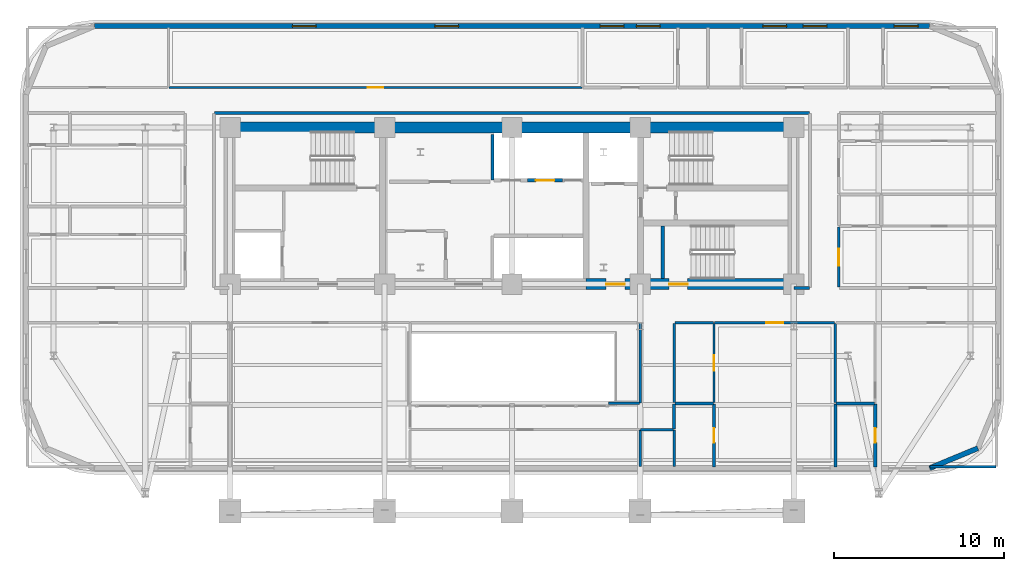
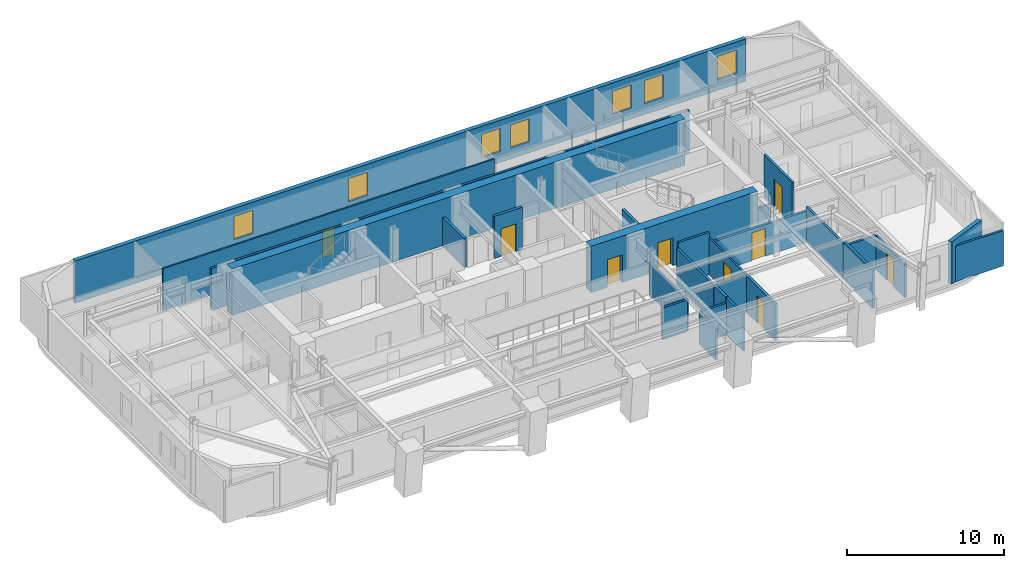
# One storey, part 9 of 14: 28 walls, 9 doors, 7 windows, 16 openings.
"""IFC4 building model written with IfcOpenShell, lengths in metres."""

import ifcopenshell
import ifcopenshell.guid

model = None  # the IFC model being written
_history = None  # IfcOwnerHistory: only IFC2X3 demands one
_inside = {}  # id of a spatial element -> (the spatial element, [elements in it])
_under = {}  # id of a project, library or spatial element -> (it, [spatial elements below it])
_declared = {}  # id of a project -> (the project, [libraries it declares])
_typed = {}  # id of a type object -> (the type object, [elements of that type])
_made_of = {}  # id of a material, layer set ... -> (it, [elements and type objects made of it])


def new_model(schema):
    """Start an empty IFC model of exactly this schema.

    Asked for "IFC4X3", IfcOpenShell would pick the latest addendum, in which some entities
    have other attributes; the version numbers below select the first issue.
    IFC2X3 requires an IfcOwnerHistory on every rooted entity: one is made here for all.
    """
    global model, _history
    if schema == "IFC4X3":
        model = ifcopenshell.file(schema_version=(4, 3, 0, 0))
    else:
        model = ifcopenshell.file(schema=schema)
    _inside.clear()
    _under.clear()
    _declared.clear()
    _typed.clear()
    _made_of.clear()
    _history = None
    if model.schema == "IFC2X3":
        org = make("IfcOrganization", Name="unknown")
        user = make(
            "IfcPersonAndOrganization",
            ThePerson=make("IfcPerson", FamilyName="unknown"),
            TheOrganization=org,
        )
        app = make(
            "IfcApplication",
            ApplicationDeveloper=org,
            Version="unknown",
            ApplicationFullName="unknown",
            ApplicationIdentifier="unknown",
        )
        _history = make(
            "IfcOwnerHistory",
            OwningUser=user,
            OwningApplication=app,
            ChangeAction="ADDED",
            CreationDate=0,
        )
    return model


def make(cls, **values):
    """One entity of the class cls with the attributes given. An attribute that is None is left unset."""
    return model.create_entity(
        cls, **{name: value for name, value in values.items() if value is not None}
    )


def rooted(cls, **values):
    """An entity with a GlobalId (a new one), such as an element, a storey or a relation."""
    return make(cls, GlobalId=ifcopenshell.guid.new(), OwnerHistory=_history, **values)


def si_unit(unit_type, name, prefix=None):
    """IfcSIUnit, for example si_unit("LENGTHUNIT", "METRE", prefix="MILLI")."""
    return make("IfcSIUnit", UnitType=unit_type, Prefix=prefix, Name=name)


def assignment(units):
    """IfcUnitAssignment: the units of a project."""
    return None if units is None else make("IfcUnitAssignment", Units=units)


def point(xyz):
    """IfcCartesianPoint."""
    return None if xyz is None else make("IfcCartesianPoint", Coordinates=xyz)


def direction(xyz):
    """IfcDirection."""
    return None if xyz is None else make("IfcDirection", DirectionRatios=xyz)


def frame(location, z_axis=None, x_axis=None):
    """IfcAxis2Placement3D, a coordinate frame: its origin and axes. An axis left out is left unset."""
    return make(
        "IfcAxis2Placement3D",
        Location=point(location),
        Axis=direction(z_axis),
        RefDirection=direction(x_axis),
    )


def frame_2d(location, x_axis=None):
    """IfcAxis2Placement2D, a coordinate frame in the plane: its origin and x axis."""
    return make(
        "IfcAxis2Placement2D", Location=point(location), RefDirection=direction(x_axis)
    )


def origin():
    """The frame at (0, 0, 0) with its axes left unset."""
    return frame((0.0, 0.0, 0.0))


def place(relative_to, where):
    """IfcLocalPlacement: puts the frame where relative to a parent placement (None: the world)."""
    return make(
        "IfcLocalPlacement", PlacementRelTo=relative_to, RelativePlacement=where
    )


def context(
    kind, dimensions, precision=None, world=None, true_north=None, identifier=None
):
    """IfcGeometricRepresentationContext, for example the 3D "Model" context."""
    return make(
        "IfcGeometricRepresentationContext",
        ContextIdentifier=identifier,
        ContextType=kind,
        CoordinateSpaceDimension=dimensions,
        Precision=precision,
        WorldCoordinateSystem=world,
        TrueNorth=true_north,
    )


def subcontext(parent, identifier, kind, view, scale=None):
    """IfcGeometricRepresentationSubContext, for example "Body" below "Model"."""
    return make(
        "IfcGeometricRepresentationSubContext",
        ContextIdentifier=identifier,
        ContextType=kind,
        ParentContext=parent,
        TargetScale=scale,
        TargetView=view,
    )


def project(units=None, contexts=None):
    """IfcProject with its units and contexts."""
    return rooted(
        "IfcProject",
        Name="project",
        RepresentationContexts=contexts,
        UnitsInContext=assignment(units),
    )


def spatial(cls, under=None, at=None, **own):
    """A site, building, storey or space (cls), placed at a placement, below another one or the project."""
    s = rooted(cls, ObjectPlacement=at, **own)
    if under is not None:
        _under.setdefault(under.id(), (under, []))[1].append(s)
    return s


def profile(cls, at=None, kind="AREA", **sizes):
    """A parametric profile (cls). Its sizes go by their IFC names, for example OverallWidth=200.0."""
    return make(cls, ProfileType=kind, Position=at, **sizes)


def rectangle(**sizes):
    """IfcRectangleProfileDef."""
    return profile("IfcRectangleProfileDef", **sizes)


def extrude(swept, where, along, depth):
    """IfcExtrudedAreaSolid: the profile swept, set in the frame where, extruded along a direction by depth."""
    return make(
        "IfcExtrudedAreaSolid",
        SweptArea=swept,
        Position=where,
        ExtrudedDirection=direction(along),
        Depth=depth,
    )


def shape(context_of_items, identifier, shape_type, items):
    """IfcShapeRepresentation: the items that make up one representation, for example the "Body"."""
    return make(
        "IfcShapeRepresentation",
        ContextOfItems=context_of_items,
        RepresentationIdentifier=identifier,
        RepresentationType=shape_type,
        Items=items,
    )


def material(Name=None, Category=None):
    """IfcMaterial."""
    return make("IfcMaterial", Name=Name, Category=Category)


def layer(
    of_material, thickness, ventilated=None, Name=None, Category=None, Priority=None
):
    """IfcMaterialLayer: one layer of a wall or slab, of a material (None: an air gap)."""
    return make(
        "IfcMaterialLayer",
        Material=of_material,
        LayerThickness=thickness,
        IsVentilated=ventilated,
        Name=Name,
        Category=Category,
        Priority=Priority,
    )


def layer_set(layers, Name=None):
    """IfcMaterialLayerSet."""
    return make("IfcMaterialLayerSet", MaterialLayers=layers, LayerSetName=Name)


def made_of(thing, what):
    """Note that an element or type object is made of a material, layer set ...; save() writes the relation."""
    if what is not None:
        _made_of.setdefault(what.id(), (what, []))[1].append(thing)
    return thing


def type_object(cls, material=None, **own):
    """A type object (cls), such as IfcWallType, which elements share."""
    return made_of(rooted(cls, **own), material)


def element(
    cls,
    number,
    at=None,
    inside=None,
    cuts=None,
    type_object=None,
    material=None,
    context=None,
    identifier="Body",
    shape_type=None,
    held_by="IfcProductDefinitionShape",
    body=None,
    shapes=None,
    **own,
):
    """One element of the class cls, such as IfcWall. Its Tag is "e" and its number.

    at: its placement. inside: the storey or other place that contains it. cuts: it is an
    opening in that element (IfcRelVoidsElement). A single representation is given by context,
    identifier, shape_type and body (its items); several are given by shapes. held_by: the class
    of the entity that holds the representations. save() writes the other relations.
    """
    e = rooted(cls, Tag="e%d" % number, ObjectPlacement=at, **own)
    if body is not None:
        shapes = [shape(context, identifier, shape_type, body)]
    if shapes is not None:
        e.Representation = make(held_by, Representations=shapes)
    if inside is not None:
        _inside.setdefault(inside.id(), (inside, []))[1].append(e)
    if cuts is not None:
        rooted(
            "IfcRelVoidsElement", RelatingBuildingElement=cuts, RelatedOpeningElement=e
        )
    if type_object is not None:
        _typed.setdefault(type_object.id(), (type_object, []))[1].append(e)
    return made_of(e, material)


def fill(opening, filler):
    """IfcRelFillsElement: the door or window that sits in an opening."""
    return rooted(
        "IfcRelFillsElement",
        RelatingOpeningElement=opening,
        RelatedBuildingElement=filler,
    )


def aggregate(whole, parts):
    """IfcRelAggregates: a whole, such as a stair, and the parts it consists of."""
    return rooted("IfcRelAggregates", RelatingObject=whole, RelatedObjects=parts)


def save(model, path):
    """Write the relations noted so far, then the file.

    IfcRelAggregates (storeys below a building ...), IfcRelContainedInSpatialStructure (elements
    in a storey), IfcRelDefinesByType, IfcRelAssociatesMaterial and IfcRelDeclares: one each for
    every whole, place, type object, material and project.
    """
    for whole, parts in _under.values():
        aggregate(whole, parts)
    for where, things in _inside.values():
        rooted(
            "IfcRelContainedInSpatialStructure",
            RelatedElements=things,
            RelatingStructure=where,
        )
    for kind, things in _typed.values():
        rooted("IfcRelDefinesByType", RelatedObjects=things, RelatingType=kind)
    for what, things in _made_of.values():
        rooted("IfcRelAssociatesMaterial", RelatedObjects=things, RelatingMaterial=what)
    for by, libraries in _declared.values():
        rooted("IfcRelDeclares", RelatingContext=by, RelatedDefinitions=libraries)
    model.write(path)


model = new_model("IFC4")

# Units and contexts
model_context = context("Model", 3, precision=1e-05, world=origin(), true_north=direction((0.0, 1.0)))
body_context = subcontext(model_context, "Body", "Model", "MODEL_VIEW")
ifc_project = project(units=[si_unit("LENGTHUNIT", "METRE"), si_unit("AREAUNIT", "SQUARE_METRE"), si_unit("VOLUMEUNIT", "CUBIC_METRE"), si_unit("PLANEANGLEUNIT", "RADIAN"), si_unit("MASSUNIT", "GRAM", prefix="KILO")], contexts=[model_context])

# Site, building, storey
site_placement = place(None, origin())
site = spatial("IfcSite", under=ifc_project, at=site_placement, CompositionType="ELEMENT")
building_placement = place(site_placement, origin())
building = spatial("IfcBuilding", under=site, at=building_placement, Name="Zarnavel Station Tower", CompositionType="ELEMENT")
storey_placement = place(building_placement, frame((0.0, 0.0, 129.300048828125)))
storey = spatial("IfcBuildingStorey", under=building, at=storey_placement, Name="L35", CompositionType="ELEMENT", Elevation=129.300048828125)

# Wall
ifc_material_1 = material(Name="Concrete C60/75", Category="concrete")
ifc_layer_1 = layer(ifc_material_1, 0.64990234375)
ifc_layer_set_1 = layer_set([ifc_layer_1], Name="CW_650")
wall_type_1 = type_object("IfcWallType", Name="CW_650", PredefinedType="SHEAR", material=ifc_layer_set_1)
wall_1_placement = place(storey_placement, frame((12.14990234375, 37.050048828125, 0.0), z_axis=(0.0, 0.0, 1.0), x_axis=(1.0, 0.0, 0.0)))
element("IfcWall", 1, at=wall_1_placement, inside=storey, type_object=wall_type_1, Name="L35 Rear Core Shear Wall N", PredefinedType="SHEAR", context=body_context, shape_type="SweptSolid", body=[
    extrude(rectangle(XDim=33.22998046875, YDim=0.64990234375, at=frame_2d((16.614990234375, 0.0))), origin(), (0.0, 0.0, 1.0), 3.599853515625),
])

# Wall, openings, doors
wall_2_placement = place(storey_placement, frame((45.3798828125, 27.820068359375, 0.0), z_axis=(0.0, 0.0, 1.0), x_axis=(-1.0, 0.0, 0.0)))
wall_2 = element("IfcWall", 2, at=wall_2_placement, inside=storey, type_object=wall_type_1, Name="L35 Rear Core Shear Wall S-E", PredefinedType="SHEAR", context=body_context, shape_type="SweptSolid", body=[
    extrude(rectangle(XDim=12.22998046875, YDim=0.64990234375, at=frame_2d((6.114990234375, 0.0))), origin(), (0.0, 0.0, 1.0), 3.599853515625),
])
opening_1_placement = place(wall_2_placement, frame((9.929931640625, 0.0, 0.0)))
opening_1 = element("IfcOpeningElement", 3, at=opening_1_placement, cuts=wall_2, Name="Opening FD01", PredefinedType="OPENING", context=body_context, shape_type="SweptSolid", body=[
    extrude(rectangle(XDim=1.10009765625, YDim=2.14990234375, at=frame_2d((0.550048828125, 1.074951171875))), frame((0.0, 0.3349609375, 0.0), z_axis=(0.0, -1.0, 0.0), x_axis=(1.0, 0.0, 0.0)), (0.0, 0.0, 1.0), 0.669921875),
])
opening_2_placement = place(wall_2_placement, frame((6.22998046875, 0.0, 0.0)))
opening_2 = element("IfcOpeningElement", 4, at=opening_2_placement, cuts=wall_2, Name="Opening FD01", PredefinedType="OPENING", context=body_context, shape_type="SweptSolid", body=[
    extrude(rectangle(XDim=1.10009765625, YDim=2.14990234375, at=frame_2d((0.550048828125, 1.074951171875))), frame((0.0, 0.3349609375, 0.0), z_axis=(0.0, -1.0, 0.0), x_axis=(1.0, 0.0, 0.0)), (0.0, 0.0, 1.0), 0.669921875),
])
ifc_material_2 = material(Name="Painted Galvanised Steel and Hardwood Leaf", Category="steel")
door_type_1 = type_object("IfcDoorType", Name="ID_STAIR_1100", OperationType="NOTDEFINED", PredefinedType="DOOR", material=ifc_material_2)
door_1_placement = place(opening_1_placement, origin())
door_1 = element("IfcDoor", 5, at=door_1_placement, inside=storey, type_object=door_type_1, Name="L35 East Firefighting Lobby Door", OperationType="SINGLE_SWING_LEFT", OverallHeight=2.14990234375, OverallWidth=1.10009765625, PredefinedType="DOOR", context=body_context, shape_type="SweptSolid", body=[
    extrude(rectangle(XDim=1.10009765625, YDim=2.14990234375, at=frame_2d((0.550048828125, 1.074951171875))), frame((0.0, 0.02490234375, 0.0), z_axis=(0.0, -1.0, 0.0), x_axis=(1.0, 0.0, 0.0)), (0.0, 0.0, 1.0), 0.050048828125),
])
fill(opening_1, door_1)
door_2_placement = place(opening_2_placement, origin())
door_2 = element("IfcDoor", 6, at=door_2_placement, inside=storey, type_object=door_type_1, Name="L35 Stair ST3 Corridor Fire Door", OperationType="SINGLE_SWING_RIGHT", OverallHeight=2.14990234375, OverallWidth=1.10009765625, PredefinedType="DOOR", context=body_context, shape_type="SweptSolid", body=[
    extrude(rectangle(XDim=1.10009765625, YDim=2.14990234375, at=frame_2d((0.550048828125, 1.074951171875))), frame((0.0, 0.02490234375, 0.0), z_axis=(0.0, -1.0, 0.0), x_axis=(1.0, 0.0, 0.0)), (0.0, 0.0, 1.0), 0.050048828125),
])
fill(opening_2, door_2)

# Wall
ifc_material_3 = material(Name="Precast concrete C45/55 (Dark Basalt Finish)", Category="masonry")
ifc_layer_2 = layer(ifc_material_3, 0.300048828125)
ifc_layer_set_2 = layer_set([ifc_layer_2], Name="EW_BASALT_300")
wall_type_2 = type_object("IfcWallType", Name="EW_BASALT_300", PredefinedType="SOLIDWALL", material=ifc_layer_set_2)
wall_3_placement = place(storey_placement, frame((56.24267578125, 18.157470703125, 0.0), z_axis=(0.0, 0.0, 1.0), x_axis=(-0.923882414032, -0.382676475685, 0.0)))
element("IfcWall", 7, at=wall_3_placement, inside=storey, type_object=wall_type_2, Name="L35 Exterior Basalt Masonry Frame Wall 01", PredefinedType="SOLIDWALL", context=body_context, shape_type="SweptSolid", body=[
    extrude(rectangle(XDim=3.076904296875, YDim=0.300048828125, at=frame_2d((1.53857421875, 0.0))), origin(), (0.0, 0.0, 1.0), 3.280029296875),
])

# Wall, openings, windows
wall_4_placement = place(storey_placement, frame((4.199951171875, 43.02001953125, 0.0), z_axis=(0.0, 0.0, 1.0), x_axis=(1.0, 0.0, 0.0)))
wall_4 = element("IfcWall", 8, at=wall_4_placement, inside=storey, type_object=wall_type_2, Name="L35 Exterior Basalt Masonry Frame Wall 06", PredefinedType="SOLIDWALL", context=body_context, shape_type="SweptSolid", body=[
    extrude(rectangle(XDim=49.199951171875, YDim=0.300048828125, at=frame_2d((24.60009765625, 0.0))), origin(), (0.0, 0.0, 1.0), 3.280029296875),
])
opening_3_placement = place(wall_4_placement, frame((11.65673828125, 0.0, 0.85009765625)))
opening_3 = element("IfcOpeningElement", 9, at=opening_3_placement, cuts=wall_4, Name="Opening WN01", PredefinedType="OPENING", context=body_context, shape_type="SweptSolid", body=[
    extrude(rectangle(XDim=1.39990234375, YDim=1.800048828125, at=frame_2d((0.699951171875, 0.89990234375))), frame((0.0, 0.159912109375, 0.0), z_axis=(0.0, -1.0, 0.0), x_axis=(1.0, 0.0, 0.0)), (0.0, 0.0, 1.0), 0.320068359375),
])
opening_4_placement = place(wall_4_placement, frame((20.05322265625, 0.0, 0.85009765625)))
opening_4 = element("IfcOpeningElement", 10, at=opening_4_placement, cuts=wall_4, Name="Opening WN01", PredefinedType="OPENING", context=body_context, shape_type="SweptSolid", body=[
    extrude(rectangle(XDim=1.39990234375, YDim=1.800048828125, at=frame_2d((0.699951171875, 0.89990234375))), frame((0.0, 0.159912109375, 0.0), z_axis=(0.0, -1.0, 0.0), x_axis=(1.0, 0.0, 0.0)), (0.0, 0.0, 1.0), 0.320068359375),
])
opening_5_placement = place(wall_4_placement, frame((29.7890625, 0.0, 0.85009765625)))
opening_5 = element("IfcOpeningElement", 11, at=opening_5_placement, cuts=wall_4, Name="Opening WN01", PredefinedType="OPENING", context=body_context, shape_type="SweptSolid", body=[
    extrude(rectangle(XDim=1.39990234375, YDim=1.800048828125, at=frame_2d((0.699951171875, 0.89990234375))), frame((0.0, 0.159912109375, 0.0), z_axis=(0.0, -1.0, 0.0), x_axis=(1.0, 0.0, 0.0)), (0.0, 0.0, 1.0), 0.320068359375),
])
opening_6_placement = place(wall_4_placement, frame((31.927978515625, 0.0, 0.85009765625)))
opening_6 = element("IfcOpeningElement", 12, at=opening_6_placement, cuts=wall_4, Name="Opening WN01", PredefinedType="OPENING", context=body_context, shape_type="SweptSolid", body=[
    extrude(rectangle(XDim=1.39990234375, YDim=1.800048828125, at=frame_2d((0.699951171875, 0.89990234375))), frame((0.0, 0.159912109375, 0.0), z_axis=(0.0, -1.0, 0.0), x_axis=(1.0, 0.0, 0.0)), (0.0, 0.0, 1.0), 0.320068359375),
])
opening_7_placement = place(wall_4_placement, frame((39.382080078125, 0.0, 0.85009765625)))
opening_7 = element("IfcOpeningElement", 13, at=opening_7_placement, cuts=wall_4, Name="Opening WN01", PredefinedType="OPENING", context=body_context, shape_type="SweptSolid", body=[
    extrude(rectangle(XDim=1.39990234375, YDim=1.800048828125, at=frame_2d((0.699951171875, 0.89990234375))), frame((0.0, 0.159912109375, 0.0), z_axis=(0.0, -1.0, 0.0), x_axis=(1.0, 0.0, 0.0)), (0.0, 0.0, 1.0), 0.320068359375),
])
opening_8_placement = place(wall_4_placement, frame((41.740966796875, 0.0, 0.85009765625)))
opening_8 = element("IfcOpeningElement", 14, at=opening_8_placement, cuts=wall_4, Name="Opening WN01", PredefinedType="OPENING", context=body_context, shape_type="SweptSolid", body=[
    extrude(rectangle(XDim=1.39990234375, YDim=1.800048828125, at=frame_2d((0.699951171875, 0.89990234375))), frame((0.0, 0.159912109375, 0.0), z_axis=(0.0, -1.0, 0.0), x_axis=(1.0, 0.0, 0.0)), (0.0, 0.0, 1.0), 0.320068359375),
])
opening_9_placement = place(wall_4_placement, frame((47.114990234375, 0.0, 0.85009765625)))
opening_9 = element("IfcOpeningElement", 15, at=opening_9_placement, cuts=wall_4, Name="Opening WN01", PredefinedType="OPENING", context=body_context, shape_type="SweptSolid", body=[
    extrude(rectangle(XDim=1.39990234375, YDim=1.800048828125, at=frame_2d((0.699951171875, 0.89990234375))), frame((0.0, 0.159912109375, 0.0), z_axis=(0.0, -1.0, 0.0), x_axis=(1.0, 0.0, 0.0)), (0.0, 0.0, 1.0), 0.320068359375),
])
ifc_material_4 = material(Name="Thermally Broken Black Aluminium and Low-E Dark Glass", Category="aluminium")
window_type = type_object("IfcWindowType", Name="WN_1400x1800", PartitioningType="DOUBLE_PANEL_VERTICAL", PredefinedType="WINDOW", material=ifc_material_4)
window_1_placement = place(opening_3_placement, origin())
window_1 = element("IfcWindow", 16, at=window_1_placement, inside=storey, type_object=window_type, Name="L35 Recessed Facade Window 01", OverallHeight=1.800048828125, OverallWidth=1.39990234375, PartitioningType="SINGLE_PANEL", PredefinedType="WINDOW", context=body_context, shape_type="SweptSolid", body=[
    extrude(rectangle(XDim=1.39990234375, YDim=1.800048828125, at=frame_2d((0.699951171875, 0.89990234375))), frame((0.0, 0.030029296875, 0.0), z_axis=(0.0, -1.0, 0.0), x_axis=(1.0, 0.0, 0.0)), (0.0, 0.0, 1.0), 0.06005859375),
])
fill(opening_3, window_1)
window_2_placement = place(opening_4_placement, origin())
window_2 = element("IfcWindow", 17, at=window_2_placement, inside=storey, type_object=window_type, Name="L35 Recessed Facade Window 02", OverallHeight=1.800048828125, OverallWidth=1.39990234375, PartitioningType="SINGLE_PANEL", PredefinedType="WINDOW", context=body_context, shape_type="SweptSolid", body=[
    extrude(rectangle(XDim=1.39990234375, YDim=1.800048828125, at=frame_2d((0.699951171875, 0.89990234375))), frame((0.0, 0.030029296875, 0.0), z_axis=(0.0, -1.0, 0.0), x_axis=(1.0, 0.0, 0.0)), (0.0, 0.0, 1.0), 0.06005859375),
])
fill(opening_4, window_2)
window_3_placement = place(opening_5_placement, origin())
window_3 = element("IfcWindow", 18, at=window_3_placement, inside=storey, type_object=window_type, Name="L35 Recessed Facade Window 03", OverallHeight=1.800048828125, OverallWidth=1.39990234375, PartitioningType="SINGLE_PANEL", PredefinedType="WINDOW", context=body_context, shape_type="SweptSolid", body=[
    extrude(rectangle(XDim=1.39990234375, YDim=1.800048828125, at=frame_2d((0.699951171875, 0.89990234375))), frame((0.0, 0.030029296875, 0.0), z_axis=(0.0, -1.0, 0.0), x_axis=(1.0, 0.0, 0.0)), (0.0, 0.0, 1.0), 0.06005859375),
])
fill(opening_5, window_3)
window_4_placement = place(opening_6_placement, origin())
window_4 = element("IfcWindow", 19, at=window_4_placement, inside=storey, type_object=window_type, Name="L35 Recessed Facade Window 04", OverallHeight=1.800048828125, OverallWidth=1.39990234375, PartitioningType="SINGLE_PANEL", PredefinedType="WINDOW", context=body_context, shape_type="SweptSolid", body=[
    extrude(rectangle(XDim=1.39990234375, YDim=1.800048828125, at=frame_2d((0.699951171875, 0.89990234375))), frame((0.0, 0.030029296875, 0.0), z_axis=(0.0, -1.0, 0.0), x_axis=(1.0, 0.0, 0.0)), (0.0, 0.0, 1.0), 0.06005859375),
])
fill(opening_6, window_4)
window_5_placement = place(opening_7_placement, origin())
window_5 = element("IfcWindow", 20, at=window_5_placement, inside=storey, type_object=window_type, Name="L35 Recessed Facade Window 05", OverallHeight=1.800048828125, OverallWidth=1.39990234375, PartitioningType="SINGLE_PANEL", PredefinedType="WINDOW", context=body_context, shape_type="SweptSolid", body=[
    extrude(rectangle(XDim=1.39990234375, YDim=1.800048828125, at=frame_2d((0.699951171875, 0.89990234375))), frame((0.0, 0.030029296875, 0.0), z_axis=(0.0, -1.0, 0.0), x_axis=(1.0, 0.0, 0.0)), (0.0, 0.0, 1.0), 0.06005859375),
])
fill(opening_7, window_5)
window_6_placement = place(opening_8_placement, origin())
window_6 = element("IfcWindow", 21, at=window_6_placement, inside=storey, type_object=window_type, Name="L35 Recessed Facade Window 06", OverallHeight=1.800048828125, OverallWidth=1.39990234375, PartitioningType="SINGLE_PANEL", PredefinedType="WINDOW", context=body_context, shape_type="SweptSolid", body=[
    extrude(rectangle(XDim=1.39990234375, YDim=1.800048828125, at=frame_2d((0.699951171875, 0.89990234375))), frame((0.0, 0.030029296875, 0.0), z_axis=(0.0, -1.0, 0.0), x_axis=(1.0, 0.0, 0.0)), (0.0, 0.0, 1.0), 0.06005859375),
])
fill(opening_8, window_6)
window_7_placement = place(opening_9_placement, origin())
window_7 = element("IfcWindow", 22, at=window_7_placement, inside=storey, type_object=window_type, Name="L35 Recessed Facade Window 07", OverallHeight=1.800048828125, OverallWidth=1.39990234375, PartitioningType="SINGLE_PANEL", PredefinedType="WINDOW", context=body_context, shape_type="SweptSolid", body=[
    extrude(rectangle(XDim=1.39990234375, YDim=1.800048828125, at=frame_2d((0.699951171875, 0.89990234375))), frame((0.0, 0.030029296875, 0.0), z_axis=(0.0, -1.0, 0.0), x_axis=(1.0, 0.0, 0.0)), (0.0, 0.0, 1.0), 0.06005859375),
])
fill(opening_9, window_7)

# Wall, opening, door
ifc_material_5 = material(Name="Gypsum Twin-Stud Acoustic Fire Partition", Category="concrete")
ifc_layer_3 = layer(ifc_material_5, 0.159912109375)
ifc_layer_set_3 = layer_set([ifc_layer_3], Name="PT_DEMISE_160")
wall_type_3 = type_object("IfcWallType", Name="PT_DEMISE_160", PredefinedType="PARTITIONING", material=ifc_layer_set_3)
wall_5_placement = place(storey_placement, frame((40.739990234375, 25.550048828125, 0.0), z_axis=(0.0, 0.0, 1.0), x_axis=(1.0, 0.0, 0.0)))
wall_5 = element("IfcWall", 23, at=wall_5_placement, inside=storey, type_object=wall_type_3, Name="L35 Partition COR-S-HE1AR", PredefinedType="PARTITIONING", context=body_context, shape_type="SweptSolid", body=[
    extrude(rectangle(XDim=7.06494140625, YDim=0.159912109375, at=frame_2d((3.532470703125, 0.0))), origin(), (0.0, 0.0, 1.0), 2.446044921875),
])
opening_10_placement = place(wall_5_placement, frame((3.032470703125, 0.0, 0.0)))
opening_10 = element("IfcOpeningElement", 24, at=opening_10_placement, cuts=wall_5, Name="Opening FD02", PredefinedType="OPENING", context=body_context, shape_type="SweptSolid", body=[
    extrude(rectangle(XDim=1.0, YDim=2.14990234375, at=frame_2d((0.5, 1.074951171875))), frame((0.0, 0.08984375, 0.0), z_axis=(0.0, -1.0, 0.0), x_axis=(1.0, 0.0, 0.0)), (0.0, 0.0, 1.0), 0.179931640625),
])
ifc_material_6 = material(Name="Painted Galvanised Steel and Hardwood Leaf", Category="steel")
door_type_2 = type_object("IfcDoorType", Name="ID_ENTRY_1000", OperationType="NOTDEFINED", PredefinedType="DOOR", material=ifc_material_6)
door_3_placement = place(opening_10_placement, origin())
door_3 = element("IfcDoor", 25, at=door_3_placement, inside=storey, type_object=door_type_2, Name="L35 Door COR-S-HE1AR", OperationType="SINGLE_SWING_LEFT", OverallHeight=2.14990234375, OverallWidth=1.0, PredefinedType="DOOR", context=body_context, shape_type="SweptSolid", body=[
    extrude(rectangle(XDim=1.0, YDim=2.14990234375, at=frame_2d((0.5, 1.074951171875))), frame((0.0, 0.02490234375, 0.0), z_axis=(0.0, -1.0, 0.0), x_axis=(1.0, 0.0, 0.0)), (0.0, 0.0, 1.0), 0.050048828125),
])
fill(opening_10, door_3)

# Wall
wall_6_placement = place(storey_placement, frame((38.389892578125, 25.550048828125, 0.0), z_axis=(0.0, 0.0, 1.0), x_axis=(1.0, 0.0, 0.0)))
element("IfcWall", 26, at=wall_6_placement, inside=storey, type_object=wall_type_3, Name="L35 Partition COR-S-HE1AS", PredefinedType="PARTITIONING", context=body_context, shape_type="SweptSolid", body=[
    extrude(rectangle(XDim=2.27001953125, YDim=0.159912109375, at=frame_2d((1.135009765625, 0.0))), origin(), (0.0, 0.0, 1.0), 3.280029296875),
])

# Wall, opening, door
wall_7_placement = place(storey_placement, frame((48.050048828125, 27.639892578125, 0.0), z_axis=(0.0, 0.0, 1.0), x_axis=(0.0, 1.0, 0.0)))
wall_7 = element("IfcWall", 27, at=wall_7_placement, inside=storey, type_object=wall_type_3, Name="L35 Partition COR-E-FNE1R", PredefinedType="PARTITIONING", context=body_context, shape_type="SweptSolid", body=[
    extrude(rectangle(XDim=3.55615234375, YDim=0.159912109375, at=frame_2d((1.778076171875, 0.0))), origin(), (0.0, 0.0, 1.0), 3.280029296875),
])
opening_11_placement = place(wall_7_placement, frame((1.278076171875, 0.0, 0.0)))
opening_11 = element("IfcOpeningElement", 28, at=opening_11_placement, cuts=wall_7, Name="Opening FD02", PredefinedType="OPENING", context=body_context, shape_type="SweptSolid", body=[
    extrude(rectangle(XDim=1.0, YDim=2.14990234375, at=frame_2d((0.5, 1.074951171875))), frame((0.0, 0.08984375, 0.0), z_axis=(0.0, -1.0, 0.0), x_axis=(1.0, 0.0, 0.0)), (0.0, 0.0, 1.0), 0.179931640625),
])
door_4_placement = place(opening_11_placement, origin())
door_4 = element("IfcDoor", 29, at=door_4_placement, inside=storey, type_object=door_type_2, Name="L35 Door COR-E-FNE1R", OperationType="SINGLE_SWING_LEFT", OverallHeight=2.14990234375, OverallWidth=1.0, PredefinedType="DOOR", context=body_context, shape_type="SweptSolid", body=[
    extrude(rectangle(XDim=1.0, YDim=2.14990234375, at=frame_2d((0.5, 1.074951171875))), frame((0.0, 0.02490234375, 0.0), z_axis=(0.0, -1.0, 0.0), x_axis=(1.0, 0.0, 0.0)), (0.0, 0.0, 1.0), 0.050048828125),
])
fill(opening_11, door_4)

# Walls
wall_8_placement = place(storey_placement, frame((38.35009765625, 20.8359375, 0.0), z_axis=(0.0, 0.0, 1.0), x_axis=(0.0, 1.0, 0.0)))
element("IfcWall", 30, at=wall_8_placement, inside=storey, type_object=wall_type_3, Name="L35 Partition COR-AE-HE1AS", PredefinedType="PARTITIONING", context=body_context, shape_type="SweptSolid", body=[
    extrude(rectangle(XDim=4.674072265625, YDim=0.159912109375, at=frame_2d((2.3369140625, 0.0))), origin(), (0.0, 0.0, 1.0), 2.85986328125),
])
wall_9_placement = place(storey_placement, frame((47.844970703125, 20.8359375, 0.0), z_axis=(0.0, 0.0, 1.0), x_axis=(0.0, 1.0, 0.0)))
element("IfcWall", 31, at=wall_9_placement, inside=storey, type_object=wall_type_3, Name="L35 Partition HE1AR-HE1BS", PredefinedType="PARTITIONING", context=body_context, shape_type="SweptSolid", body=[
    extrude(rectangle(XDim=4.674072265625, YDim=0.159912109375, at=frame_2d((2.3369140625, 0.0))), origin(), (0.0, 0.0, 1.0), 2.760009765625),
])
wall_10_placement = place(storey_placement, frame((45.409912109375, 27.60009765625, 0.0), z_axis=(0.0, 0.0, 1.0), x_axis=(1.0, 0.0, 0.0)))
element("IfcWall", 32, at=wall_10_placement, inside=storey, type_object=wall_type_3, Name="L35 Enclosure Wall COR-S", PredefinedType="PARTITIONING", context=body_context, shape_type="SweptSolid", body=[
    extrude(rectangle(XDim=0.91015625, YDim=0.159912109375, at=frame_2d((0.455078125, 0.0))), origin(), (0.0, 0.0, 1.0), 2.251953125),
])
wall_11_placement = place(storey_placement, frame((11.280029296875, 37.89990234375, 0.0), z_axis=(0.0, 0.0, 1.0), x_axis=(1.0, 0.0, 0.0)))
element("IfcWall", 33, at=wall_11_placement, inside=storey, type_object=wall_type_3, Name="L35 Enclosure Wall COR-N", PredefinedType="PARTITIONING", context=body_context, shape_type="SweptSolid", body=[
    extrude(rectangle(XDim=35.0400390625, YDim=0.159912109375, at=frame_2d((17.52001953125, 0.0))), origin(), (0.0, 0.0, 1.0), 3.280029296875),
])
wall_12_placement = place(storey_placement, frame((36.3798828125, 19.25, 0.0), z_axis=(0.0, 0.0, 1.0), x_axis=(1.0, 0.0, 0.0)))
element("IfcWall", 34, at=wall_12_placement, inside=storey, type_object=wall_type_3, Name="L35 Enclosure Wall COR-AE", PredefinedType="PARTITIONING", context=body_context, shape_type="SweptSolid", body=[
    extrude(rectangle(XDim=1.940185546875, YDim=0.159912109375, at=frame_2d((0.97021484375, 0.0))), origin(), (0.0, 0.0, 1.0), 2.446044921875),
])
wall_13_placement = place(storey_placement, frame((36.35009765625, 20.830078125, 0.0), z_axis=(0.0, 0.0, 1.0), x_axis=(0.0, 1.0, 0.0)))
element("IfcWall", 35, at=wall_13_placement, inside=storey, type_object=wall_type_3, Name="L35 Enclosure Wall COR-AE", PredefinedType="PARTITIONING", context=body_context, shape_type="SweptSolid", body=[
    extrude(rectangle(XDim=4.68994140625, YDim=0.159912109375, at=frame_2d((2.344970703125, 0.0))), origin(), (0.0, 0.0, 1.0), 2.446044921875),
])
wall_14_placement = place(storey_placement, frame((34.47998046875, 20.800048828125, 0.0), z_axis=(0.0, 0.0, 1.0), x_axis=(1.0, 0.0, 0.0)))
element("IfcWall", 36, at=wall_14_placement, inside=storey, type_object=wall_type_3, Name="L35 Enclosure Wall COR-AS", PredefinedType="PARTITIONING", context=body_context, shape_type="SweptSolid", body=[
    extrude(rectangle(XDim=1.840087890625, YDim=0.159912109375, at=frame_2d((0.919921875, 0.0))), origin(), (0.0, 0.0, 1.0), 2.446044921875),
])
wall_15_placement = place(storey_placement, frame((36.35009765625, 17.090087890625, 0.0), z_axis=(0.0, 0.0, 1.0), x_axis=(0.0, 1.0, 0.0)))
element("IfcWall", 37, at=wall_15_placement, inside=storey, type_object=wall_type_3, Name="L35 Enclosure Wall L35BAN", PredefinedType="PARTITIONING", context=body_context, shape_type="SweptSolid", body=[
    extrude(rectangle(XDim=2.1298828125, YDim=0.159912109375, at=frame_2d((1.06494140625, 0.0))), origin(), (0.0, 0.0, 1.0), 2.446044921875),
])
wall_16_placement = place(storey_placement, frame((38.35009765625, 17.090087890625, 0.0), z_axis=(0.0, 0.0, 1.0), x_axis=(0.0, 1.0, 0.0)))
element("IfcWall", 38, at=wall_16_placement, inside=storey, type_object=wall_type_3, Name="L35 Enclosure Wall HE1AB", PredefinedType="PARTITIONING", context=body_context, shape_type="SweptSolid", body=[
    extrude(rectangle(XDim=2.1298828125, YDim=0.159912109375, at=frame_2d((1.06494140625, 0.0))), origin(), (0.0, 0.0, 1.0), 2.85986328125),
])
wall_17_placement = place(storey_placement, frame((53.429931640625, 17.06005859375, 0.0), z_axis=(0.0, 0.0, 1.0), x_axis=(1.0, 0.0, 0.0)))
element("IfcWall", 39, at=wall_17_placement, inside=storey, type_object=wall_type_3, Name="L35 Enclosure Wall HE1BR", PredefinedType="PARTITIONING", context=body_context, shape_type="SweptSolid", body=[
    extrude(rectangle(XDim=3.880126953125, YDim=0.159912109375, at=frame_2d((1.93994140625, 0.0))), origin(), (0.0, 0.0, 1.0), 2.760009765625),
])

# Wall, opening, door
ifc_material_7 = material(Name="Gypsum Metal-Stud Interior Partition", Category="concrete")
ifc_layer_4 = layer(ifc_material_7, 0.1201171875)
ifc_layer_set_4 = layer_set([ifc_layer_4], Name="PT_ROOM_120")
wall_type_4 = type_object("IfcWallType", Name="PT_ROOM_120", PredefinedType="PARTITIONING", material=ifc_layer_set_4)
wall_18_placement = place(storey_placement, frame((8.60009765625, 39.39990234375, 0.0), z_axis=(0.0, 0.0, 1.0), x_axis=(1.0, 0.0, 0.0)))
wall_18 = element("IfcWall", 40, at=wall_18_placement, inside=storey, type_object=wall_type_4, Name="L35 Partition COR-N-NCLB", PredefinedType="PARTITIONING", context=body_context, shape_type="SweptSolid", body=[
    extrude(rectangle(XDim=24.309814453125, YDim=0.1201171875, at=frame_2d((12.15478515625, 0.0))), origin(), (0.0, 0.0, 1.0), 3.280029296875),
])
opening_12_placement = place(wall_18_placement, frame((11.705078125, 0.0, 0.0)))
opening_12 = element("IfcOpeningElement", 41, at=opening_12_placement, cuts=wall_18, Name="Opening ID01", PredefinedType="OPENING", context=body_context, shape_type="SweptSolid", body=[
    extrude(rectangle(XDim=0.89990234375, YDim=2.10009765625, at=frame_2d((0.449951171875, 1.050048828125))), frame((0.0, 0.070068359375, 0.0), z_axis=(0.0, -1.0, 0.0), x_axis=(1.0, 0.0, 0.0)), (0.0, 0.0, 1.0), 0.14013671875),
])
ifc_material_8 = material(Name="Painted Galvanised Steel and Hardwood Leaf", Category="steel")
door_type_3 = type_object("IfcDoorType", Name="ID_ROOM_900", OperationType="NOTDEFINED", PredefinedType="DOOR", material=ifc_material_8)
door_5_placement = place(opening_12_placement, origin())
door_5 = element("IfcDoor", 42, at=door_5_placement, inside=storey, type_object=door_type_3, Name="L35 Door COR-N-NCLB", OperationType="SINGLE_SWING_RIGHT", OverallHeight=2.10009765625, OverallWidth=0.89990234375, PredefinedType="DOOR", context=body_context, shape_type="SweptSolid", body=[
    extrude(rectangle(XDim=0.89990234375, YDim=2.10009765625, at=frame_2d((0.449951171875, 1.050048828125))), frame((0.0, 0.02490234375, 0.0), z_axis=(0.0, -1.0, 0.0), x_axis=(1.0, 0.0, 0.0)), (0.0, 0.0, 1.0), 0.050048828125),
])
fill(opening_12, door_5)

wall_19_placement = place(storey_placement, frame((40.699951171875, 20.8359375, 0.0), z_axis=(0.0, 0.0, 1.0), x_axis=(0.0, 1.0, 0.0)))
wall_19 = element("IfcWall", 43, at=wall_19_placement, inside=storey, type_object=wall_type_4, Name="L35 Partition HE1AR-HE1AS", PredefinedType="PARTITIONING", context=body_context, shape_type="SweptSolid", body=[
    extrude(rectangle(XDim=4.674072265625, YDim=0.1201171875, at=frame_2d((2.3369140625, 0.0))), origin(), (0.0, 0.0, 1.0), 2.85986328125),
])
opening_13_placement = place(wall_19_placement, frame((1.886962890625, 0.0, 0.0)))
opening_13 = element("IfcOpeningElement", 44, at=opening_13_placement, cuts=wall_19, Name="Opening ID01", PredefinedType="OPENING", context=body_context, shape_type="SweptSolid", body=[
    extrude(rectangle(XDim=0.89990234375, YDim=2.10009765625, at=frame_2d((0.449951171875, 1.050048828125))), frame((0.0, 0.070068359375, 0.0), z_axis=(0.0, -1.0, 0.0), x_axis=(1.0, 0.0, 0.0)), (0.0, 0.0, 1.0), 0.14013671875),
])
door_6_placement = place(opening_13_placement, origin())
door_6 = element("IfcDoor", 45, at=door_6_placement, inside=storey, type_object=door_type_3, Name="L35 Door HE1AR-HE1AS", OperationType="SINGLE_SWING_RIGHT", OverallHeight=2.10009765625, OverallWidth=0.89990234375, PredefinedType="DOOR", context=body_context, shape_type="SweptSolid", body=[
    extrude(rectangle(XDim=0.89990234375, YDim=2.10009765625, at=frame_2d((0.449951171875, 1.050048828125))), frame((0.0, 0.02490234375, 0.0), z_axis=(0.0, -1.0, 0.0), x_axis=(1.0, 0.0, 0.0)), (0.0, 0.0, 1.0), 0.050048828125),
])
fill(opening_13, door_6)

# Wall
ifc_material_9 = material(Name="Precast concrete C45/55 (Fire Shaft Blockwork)", Category="masonry")
ifc_layer_5 = layer(ifc_material_9, 0.199951171875)
ifc_layer_set_5 = layer_set([ifc_layer_5], Name="PT_SHAFT_200")
wall_type_5 = type_object("IfcWallType", Name="PT_SHAFT_200", PredefinedType="PARTITIONING", material=ifc_layer_set_5)
wall_20_placement = place(storey_placement, frame((27.64990234375, 33.949951171875, 0.0), z_axis=(0.0, 0.0, 1.0), x_axis=(0.0, 1.0, 0.0)))
element("IfcWall", 46, at=wall_20_placement, inside=storey, type_object=wall_type_5, Name="L35 Mid-Rise Lift Bank West Shaft Wall", PredefinedType="PARTITIONING", context=body_context, shape_type="SweptSolid", body=[
    extrude(rectangle(XDim=2.679931640625, YDim=0.199951171875, at=frame_2d((1.33984375, 0.0))), origin(), (0.0, 0.0, 1.0), 2.251953125),
])

# Wall, opening, door
wall_21_placement = place(storey_placement, frame((29.72509765625, 33.929931640625, 0.0), z_axis=(0.0, 0.0, 1.0), x_axis=(1.0, 0.0, 0.0)))
wall_21 = element("IfcWall", 47, at=wall_21_placement, inside=storey, type_object=wall_type_5, Name="L35 Lift PL-M2 Shaft Front Wall", PredefinedType="PARTITIONING", context=body_context, shape_type="SweptSolid", body=[
    extrude(rectangle(XDim=2.0498046875, YDim=0.199951171875, at=frame_2d((1.02490234375, 0.0))), origin(), (0.0, 0.0, 1.0), 3.280029296875),
])
opening_14_placement = place(wall_21_placement, frame((0.47509765625, 0.0, 0.0)))
opening_14 = element("IfcOpeningElement", 48, at=opening_14_placement, cuts=wall_21, Name="Opening LD02", PredefinedType="OPENING", context=body_context, shape_type="SweptSolid", body=[
    extrude(rectangle(XDim=1.10009765625, YDim=2.14990234375, at=frame_2d((0.550048828125, 1.074951171875))), frame((0.0, 0.10986328125, 0.0), z_axis=(0.0, -1.0, 0.0), x_axis=(1.0, 0.0, 0.0)), (0.0, 0.0, 1.0), 0.219970703125),
])
ifc_material_10 = material(Name="Painted Galvanised Steel and Hardwood Leaf", Category="steel")
door_type_4 = type_object("IfcDoorType", Name="LD_PAX_1100", OperationType="DOUBLE_DOOR_SLIDING", PredefinedType="DOOR", material=ifc_material_10)
door_7_placement = place(opening_14_placement, origin())
door_7 = element("IfcDoor", 49, at=door_7_placement, inside=storey, type_object=door_type_4, Name="L35 Lift PL-M2 Sliding Landing Door", OperationType="DOUBLE_DOOR_SLIDING", OverallHeight=2.14990234375, OverallWidth=1.10009765625, PredefinedType="DOOR", context=body_context, shape_type="SweptSolid", body=[
    extrude(rectangle(XDim=1.10009765625, YDim=2.14990234375, at=frame_2d((0.550048828125, 1.074951171875))), frame((0.0, 0.02490234375, 0.0), z_axis=(0.0, -1.0, 0.0), x_axis=(1.0, 0.0, 0.0)), (0.0, 0.0, 1.0), 0.050048828125),
])
fill(opening_14, door_7)

# Walls
wall_22_placement = place(storey_placement, frame((37.679931640625, 28.14501953125, 0.0), z_axis=(0.0, 0.0, 1.0), x_axis=(0.0, 1.0, 0.0)))
element("IfcWall", 50, at=wall_22_placement, inside=storey, type_object=wall_type_5, Name="L35 Stair ST3 West Shaft Wall", PredefinedType="PARTITIONING", context=body_context, shape_type="SweptSolid", body=[
    extrude(rectangle(XDim=3.10498046875, YDim=0.199951171875, at=frame_2d((1.552490234375, 0.0))), origin(), (0.0, 0.0, 1.0), 2.659912109375),
])
ifc_material_11 = material(Name="Moisture-Resistant Plumbing Chase Wall", Category="concrete")
ifc_layer_6 = layer(ifc_material_11, 0.179931640625)
ifc_layer_set_6 = layer_set([ifc_layer_6], Name="PW_PLUMB_180")
wall_type_6 = type_object("IfcWallType", Name="PW_PLUMB_180", PredefinedType="PLUMBINGWALL", material=ifc_layer_set_6)
wall_23_placement = place(storey_placement, frame((38.35009765625, 19.2900390625, 0.0), z_axis=(0.0, 0.0, 1.0), x_axis=(0.0, 1.0, 0.0)))
element("IfcWall", 51, at=wall_23_placement, inside=storey, type_object=wall_type_6, Name="L35 Partition COR-AE-HE1AB", PredefinedType="PLUMBINGWALL", context=body_context, shape_type="SweptSolid", body=[
    extrude(rectangle(XDim=1.466064453125, YDim=0.179931640625, at=frame_2d((0.73291015625, 0.0))), origin(), (0.0, 0.0, 1.0), 2.869873046875),
])

# Wall, opening, door
wall_24_placement = place(storey_placement, frame((40.699951171875, 17.06005859375, 0.0), z_axis=(0.0, 0.0, 1.0), x_axis=(0.0, 1.0, 0.0)))
wall_24 = element("IfcWall", 52, at=wall_24_placement, inside=storey, type_object=wall_type_6, Name="L35 Partition HE1AR-HE1AB", PredefinedType="PLUMBINGWALL", context=body_context, shape_type="SweptSolid", body=[
    extrude(rectangle(XDim=3.696044921875, YDim=0.179931640625, at=frame_2d((1.84814453125, 0.0))), origin(), (0.0, 0.0, 1.0), 2.85986328125),
])
opening_15_placement = place(wall_24_placement, frame((1.423095703125, 0.0, 0.0)))
opening_15 = element("IfcOpeningElement", 53, at=opening_15_placement, cuts=wall_24, Name="Opening ID02", PredefinedType="OPENING", context=body_context, shape_type="SweptSolid", body=[
    extrude(rectangle(XDim=0.85009765625, YDim=2.10009765625, at=frame_2d((0.425048828125, 1.050048828125))), frame((0.0, 0.099853515625, 0.0), z_axis=(0.0, -1.0, 0.0), x_axis=(1.0, 0.0, 0.0)), (0.0, 0.0, 1.0), 0.199951171875),
])
ifc_material_12 = material(Name="Painted Galvanised Steel and Hardwood Leaf", Category="steel")
door_type_5 = type_object("IfcDoorType", Name="ID_BATH_850", OperationType="NOTDEFINED", PredefinedType="DOOR", material=ifc_material_12)
door_8_placement = place(opening_15_placement, origin())
door_8 = element("IfcDoor", 54, at=door_8_placement, inside=storey, type_object=door_type_5, Name="L35 Door HE1AR-HE1AB", OperationType="SINGLE_SWING_LEFT", OverallHeight=2.10009765625, OverallWidth=0.85009765625, PredefinedType="DOOR", context=body_context, shape_type="SweptSolid", body=[
    extrude(rectangle(XDim=0.85009765625, YDim=2.10009765625, at=frame_2d((0.425048828125, 1.050048828125))), frame((0.0, 0.02490234375, 0.0), z_axis=(0.0, -1.0, 0.0), x_axis=(1.0, 0.0, 0.0)), (0.0, 0.0, 1.0), 0.050048828125),
])
fill(opening_15, door_8)

# Walls
wall_25_placement = place(storey_placement, frame((47.844970703125, 17.06005859375, 0.0), z_axis=(0.0, 0.0, 1.0), x_axis=(0.0, 1.0, 0.0)))
element("IfcWall", 55, at=wall_25_placement, inside=storey, type_object=wall_type_6, Name="L35 Partition HE1AR-HE1BB", PredefinedType="PLUMBINGWALL", context=body_context, shape_type="SweptSolid", body=[
    extrude(rectangle(XDim=3.696044921875, YDim=0.179931640625, at=frame_2d((1.84814453125, 0.0))), origin(), (0.0, 0.0, 1.0), 2.9599609375),
])
wall_26_placement = place(storey_placement, frame((38.389892578125, 20.7958984375, 0.0), z_axis=(0.0, 0.0, 1.0), x_axis=(1.0, 0.0, 0.0)))
element("IfcWall", 56, at=wall_26_placement, inside=storey, type_object=wall_type_6, Name="L35 Partition HE1AB-HE1AS", PredefinedType="PLUMBINGWALL", context=body_context, shape_type="SweptSolid", body=[
    extrude(rectangle(XDim=2.27001953125, YDim=0.179931640625, at=frame_2d((1.135009765625, 0.0))), origin(), (0.0, 0.0, 1.0), 2.869873046875),
])

# Wall, opening, door
wall_27_placement = place(storey_placement, frame((50.195068359375, 17.06005859375, 0.0), z_axis=(0.0, 0.0, 1.0), x_axis=(0.0, 1.0, 0.0)))
wall_27 = element("IfcWall", 57, at=wall_27_placement, inside=storey, type_object=wall_type_6, Name="L35 Partition HE1BR-HE1BB", PredefinedType="PLUMBINGWALL", context=body_context, shape_type="SweptSolid", body=[
    extrude(rectangle(XDim=3.696044921875, YDim=0.179931640625, at=frame_2d((1.84814453125, 0.0))), origin(), (0.0, 0.0, 1.0), 2.60986328125),
])
opening_16_placement = place(wall_27_placement, frame((1.423095703125, 0.0, 0.0)))
opening_16 = element("IfcOpeningElement", 58, at=opening_16_placement, cuts=wall_27, Name="Opening ID02", PredefinedType="OPENING", context=body_context, shape_type="SweptSolid", body=[
    extrude(rectangle(XDim=0.85009765625, YDim=2.10009765625, at=frame_2d((0.425048828125, 1.050048828125))), frame((0.0, 0.099853515625, 0.0), z_axis=(0.0, -1.0, 0.0), x_axis=(1.0, 0.0, 0.0)), (0.0, 0.0, 1.0), 0.199951171875),
])
door_9_placement = place(opening_16_placement, origin())
door_9 = element("IfcDoor", 59, at=door_9_placement, inside=storey, type_object=door_type_5, Name="L35 Door HE1BR-HE1BB", OperationType="SINGLE_SWING_LEFT", OverallHeight=2.10009765625, OverallWidth=0.85009765625, PredefinedType="DOOR", context=body_context, shape_type="SweptSolid", body=[
    extrude(rectangle(XDim=0.85009765625, YDim=2.10009765625, at=frame_2d((0.425048828125, 1.050048828125))), frame((0.0, 0.02490234375, 0.0), z_axis=(0.0, -1.0, 0.0), x_axis=(1.0, 0.0, 0.0)), (0.0, 0.0, 1.0), 0.050048828125),
])
fill(opening_16, door_9)

# Wall
wall_28_placement = place(storey_placement, frame((47.885009765625, 20.7958984375, 0.0), z_axis=(0.0, 0.0, 1.0), x_axis=(1.0, 0.0, 0.0)))
element("IfcWall", 60, at=wall_28_placement, inside=storey, type_object=wall_type_6, Name="L35 Partition HE1BB-HE1BS", PredefinedType="PLUMBINGWALL", context=body_context, shape_type="SweptSolid", body=[
    extrude(rectangle(XDim=2.27001953125, YDim=0.179931640625, at=frame_2d((1.135009765625, 0.0))), origin(), (0.0, 0.0, 1.0), 2.60986328125),
])

save(model, "model.ifc")
